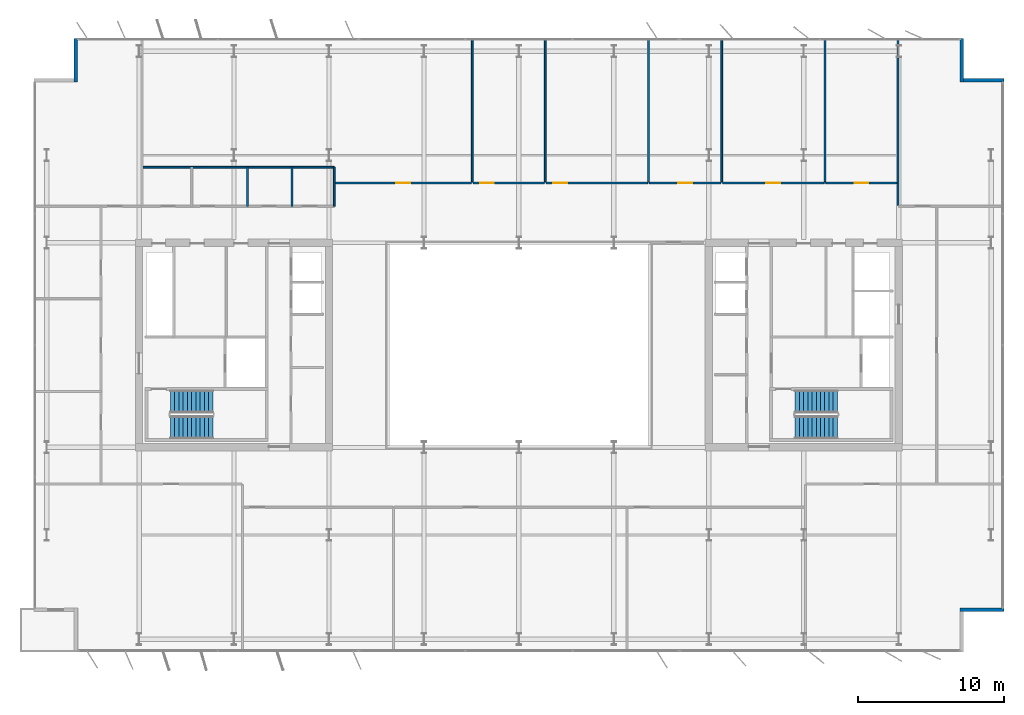
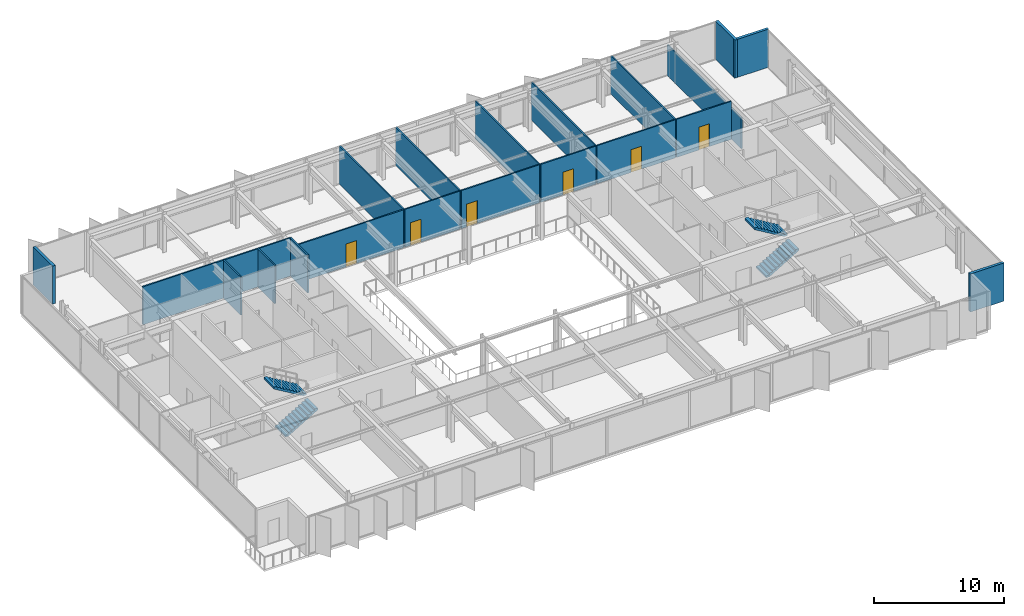
# One storey, part 19 of 23: 20 walls, 6 doors, 4 stair flights, 6 openings, 2 elements without a shape of their own.
"""IFC4 building model written with IfcOpenShell, lengths in metres."""

import ifcopenshell
import ifcopenshell.guid

model = None  # the IFC model being written
_history = None  # IfcOwnerHistory: only IFC2X3 demands one
_inside = {}  # id of a spatial element -> (the spatial element, [elements in it])
_under = {}  # id of a project, library or spatial element -> (it, [spatial elements below it])
_declared = {}  # id of a project -> (the project, [libraries it declares])
_typed = {}  # id of a type object -> (the type object, [elements of that type])
_made_of = {}  # id of a material, layer set ... -> (it, [elements and type objects made of it])


def new_model(schema):
    """Start an empty IFC model of exactly this schema.

    Asked for "IFC4X3", IfcOpenShell would pick the latest addendum, in which some entities
    have other attributes; the version numbers below select the first issue.
    IFC2X3 requires an IfcOwnerHistory on every rooted entity: one is made here for all.
    """
    global model, _history
    if schema == "IFC4X3":
        model = ifcopenshell.file(schema_version=(4, 3, 0, 0))
    else:
        model = ifcopenshell.file(schema=schema)
    _inside.clear()
    _under.clear()
    _declared.clear()
    _typed.clear()
    _made_of.clear()
    _history = None
    if model.schema == "IFC2X3":
        org = make("IfcOrganization", Name="unknown")
        user = make(
            "IfcPersonAndOrganization",
            ThePerson=make("IfcPerson", FamilyName="unknown"),
            TheOrganization=org,
        )
        app = make(
            "IfcApplication",
            ApplicationDeveloper=org,
            Version="unknown",
            ApplicationFullName="unknown",
            ApplicationIdentifier="unknown",
        )
        _history = make(
            "IfcOwnerHistory",
            OwningUser=user,
            OwningApplication=app,
            ChangeAction="ADDED",
            CreationDate=0,
        )
    return model


def make(cls, **values):
    """One entity of the class cls with the attributes given. An attribute that is None is left unset."""
    return model.create_entity(
        cls, **{name: value for name, value in values.items() if value is not None}
    )


def rooted(cls, **values):
    """An entity with a GlobalId (a new one), such as an element, a storey or a relation."""
    return make(cls, GlobalId=ifcopenshell.guid.new(), OwnerHistory=_history, **values)


def si_unit(unit_type, name, prefix=None):
    """IfcSIUnit, for example si_unit("LENGTHUNIT", "METRE", prefix="MILLI")."""
    return make("IfcSIUnit", UnitType=unit_type, Prefix=prefix, Name=name)


def assignment(units):
    """IfcUnitAssignment: the units of a project."""
    return None if units is None else make("IfcUnitAssignment", Units=units)


def point(xyz):
    """IfcCartesianPoint."""
    return None if xyz is None else make("IfcCartesianPoint", Coordinates=xyz)


def direction(xyz):
    """IfcDirection."""
    return None if xyz is None else make("IfcDirection", DirectionRatios=xyz)


def frame(location, z_axis=None, x_axis=None):
    """IfcAxis2Placement3D, a coordinate frame: its origin and axes. An axis left out is left unset."""
    return make(
        "IfcAxis2Placement3D",
        Location=point(location),
        Axis=direction(z_axis),
        RefDirection=direction(x_axis),
    )


def frame_2d(location, x_axis=None):
    """IfcAxis2Placement2D, a coordinate frame in the plane: its origin and x axis."""
    return make(
        "IfcAxis2Placement2D", Location=point(location), RefDirection=direction(x_axis)
    )


def origin():
    """The frame at (0, 0, 0) with its axes left unset."""
    return frame((0.0, 0.0, 0.0))


def place(relative_to, where):
    """IfcLocalPlacement: puts the frame where relative to a parent placement (None: the world)."""
    return make(
        "IfcLocalPlacement", PlacementRelTo=relative_to, RelativePlacement=where
    )


def context(
    kind, dimensions, precision=None, world=None, true_north=None, identifier=None
):
    """IfcGeometricRepresentationContext, for example the 3D "Model" context."""
    return make(
        "IfcGeometricRepresentationContext",
        ContextIdentifier=identifier,
        ContextType=kind,
        CoordinateSpaceDimension=dimensions,
        Precision=precision,
        WorldCoordinateSystem=world,
        TrueNorth=true_north,
    )


def subcontext(parent, identifier, kind, view, scale=None):
    """IfcGeometricRepresentationSubContext, for example "Body" below "Model"."""
    return make(
        "IfcGeometricRepresentationSubContext",
        ContextIdentifier=identifier,
        ContextType=kind,
        ParentContext=parent,
        TargetScale=scale,
        TargetView=view,
    )


def project(units=None, contexts=None):
    """IfcProject with its units and contexts."""
    return rooted(
        "IfcProject",
        Name="project",
        RepresentationContexts=contexts,
        UnitsInContext=assignment(units),
    )


def spatial(cls, under=None, at=None, **own):
    """A site, building, storey or space (cls), placed at a placement, below another one or the project."""
    s = rooted(cls, ObjectPlacement=at, **own)
    if under is not None:
        _under.setdefault(under.id(), (under, []))[1].append(s)
    return s


def polyline(points):
    """IfcPolyline through the points."""
    return make("IfcPolyline", Points=[point(p) for p in points])


def profile(cls, at=None, kind="AREA", **sizes):
    """A parametric profile (cls). Its sizes go by their IFC names, for example OverallWidth=200.0."""
    return make(cls, ProfileType=kind, Position=at, **sizes)


def rectangle(**sizes):
    """IfcRectangleProfileDef."""
    return profile("IfcRectangleProfileDef", **sizes)


def outline(outer, holes=None, kind="AREA"):
    """IfcArbitraryClosedProfileDef: a profile drawn as a closed curve; with holes, ...WithVoids."""
    if holes is None:
        return make("IfcArbitraryClosedProfileDef", ProfileType=kind, OuterCurve=outer)
    return make(
        "IfcArbitraryProfileDefWithVoids",
        ProfileType=kind,
        OuterCurve=outer,
        InnerCurves=holes,
    )


def extrude(swept, where, along, depth):
    """IfcExtrudedAreaSolid: the profile swept, set in the frame where, extruded along a direction by depth."""
    return make(
        "IfcExtrudedAreaSolid",
        SweptArea=swept,
        Position=where,
        ExtrudedDirection=direction(along),
        Depth=depth,
    )


def shape(context_of_items, identifier, shape_type, items):
    """IfcShapeRepresentation: the items that make up one representation, for example the "Body"."""
    return make(
        "IfcShapeRepresentation",
        ContextOfItems=context_of_items,
        RepresentationIdentifier=identifier,
        RepresentationType=shape_type,
        Items=items,
    )


def material(Name=None, Category=None):
    """IfcMaterial."""
    return make("IfcMaterial", Name=Name, Category=Category)


def layer(
    of_material, thickness, ventilated=None, Name=None, Category=None, Priority=None
):
    """IfcMaterialLayer: one layer of a wall or slab, of a material (None: an air gap)."""
    return make(
        "IfcMaterialLayer",
        Material=of_material,
        LayerThickness=thickness,
        IsVentilated=ventilated,
        Name=Name,
        Category=Category,
        Priority=Priority,
    )


def layer_set(layers, Name=None):
    """IfcMaterialLayerSet."""
    return make("IfcMaterialLayerSet", MaterialLayers=layers, LayerSetName=Name)


def made_of(thing, what):
    """Note that an element or type object is made of a material, layer set ...; save() writes the relation."""
    if what is not None:
        _made_of.setdefault(what.id(), (what, []))[1].append(thing)
    return thing


def type_object(cls, material=None, **own):
    """A type object (cls), such as IfcWallType, which elements share."""
    return made_of(rooted(cls, **own), material)


def element(
    cls,
    number,
    at=None,
    inside=None,
    cuts=None,
    type_object=None,
    material=None,
    context=None,
    identifier="Body",
    shape_type=None,
    held_by="IfcProductDefinitionShape",
    body=None,
    shapes=None,
    **own,
):
    """One element of the class cls, such as IfcWall. Its Tag is "e" and its number.

    at: its placement. inside: the storey or other place that contains it. cuts: it is an
    opening in that element (IfcRelVoidsElement). A single representation is given by context,
    identifier, shape_type and body (its items); several are given by shapes. held_by: the class
    of the entity that holds the representations. save() writes the other relations.
    """
    e = rooted(cls, Tag="e%d" % number, ObjectPlacement=at, **own)
    if body is not None:
        shapes = [shape(context, identifier, shape_type, body)]
    if shapes is not None:
        e.Representation = make(held_by, Representations=shapes)
    if inside is not None:
        _inside.setdefault(inside.id(), (inside, []))[1].append(e)
    if cuts is not None:
        rooted(
            "IfcRelVoidsElement", RelatingBuildingElement=cuts, RelatedOpeningElement=e
        )
    if type_object is not None:
        _typed.setdefault(type_object.id(), (type_object, []))[1].append(e)
    return made_of(e, material)


def fill(opening, filler):
    """IfcRelFillsElement: the door or window that sits in an opening."""
    return rooted(
        "IfcRelFillsElement",
        RelatingOpeningElement=opening,
        RelatedBuildingElement=filler,
    )


def aggregate(whole, parts):
    """IfcRelAggregates: a whole, such as a stair, and the parts it consists of."""
    return rooted("IfcRelAggregates", RelatingObject=whole, RelatedObjects=parts)


def save(model, path):
    """Write the relations noted so far, then the file.

    IfcRelAggregates (storeys below a building ...), IfcRelContainedInSpatialStructure (elements
    in a storey), IfcRelDefinesByType, IfcRelAssociatesMaterial and IfcRelDeclares: one each for
    every whole, place, type object, material and project.
    """
    for whole, parts in _under.values():
        aggregate(whole, parts)
    for where, things in _inside.values():
        rooted(
            "IfcRelContainedInSpatialStructure",
            RelatedElements=things,
            RelatingStructure=where,
        )
    for kind, things in _typed.values():
        rooted("IfcRelDefinesByType", RelatedObjects=things, RelatingType=kind)
    for what, things in _made_of.values():
        rooted("IfcRelAssociatesMaterial", RelatedObjects=things, RelatingMaterial=what)
    for by, libraries in _declared.values():
        rooted("IfcRelDeclares", RelatingContext=by, RelatedDefinitions=libraries)
    model.write(path)


model = new_model("IFC4")

# Units and contexts
model_context = context("Model", 3, precision=1e-05, world=origin(), true_north=direction((0.0, 1.0)))
body_context = subcontext(model_context, "Body", "Model", "MODEL_VIEW")
ifc_project = project(units=[si_unit("LENGTHUNIT", "METRE"), si_unit("AREAUNIT", "SQUARE_METRE"), si_unit("VOLUMEUNIT", "CUBIC_METRE"), si_unit("PLANEANGLEUNIT", "RADIAN"), si_unit("MASSUNIT", "GRAM", prefix="KILO")], contexts=[model_context])

# Site, building, storey
site_placement = place(None, origin())
site = spatial("IfcSite", under=ifc_project, at=site_placement, CompositionType="ELEMENT")
building_placement = place(site_placement, origin())
building = spatial("IfcBuilding", under=site, at=building_placement, Name="Putna Gate Headquarters", CompositionType="ELEMENT")
storey_placement = place(building_placement, frame((0.0, 0.0, 225.199951171875)))
storey = spatial("IfcBuildingStorey", under=building, at=storey_placement, Name="L56", CompositionType="ELEMENT", Elevation=225.199951171875)

# Walls
ifc_material_1 = material(Name="Precast concrete C40/50", Category="concrete")
ifc_layer_1 = layer(ifc_material_1, 0.239990234375)
ifc_layer_set_1 = layer_set([ifc_layer_1], Name="Precast concrete C40/50")
wall_type_1 = type_object("IfcWallType", Name="WALL-EXT-TERR-240", PredefinedType="STANDARD", material=ifc_layer_set_1)
for number, where, z_axis, x_axis, name in (
    (1, (8.679931640625, 44.0, 0.0), (0.0, 0.0, 1.0), (0.0, 1.0, 0.0), "L56 Corner Notch Return Wall NW-V"),
    (2, (69.320068359375, 47.0, 0.0), (0.0, 0.0, 1.0), (0.0, -1.0, 0.0), "L56 Corner Notch Return Wall NE-V"),
    (3, (69.199951171875, 44.1201171875, 0.0), (0.0, 0.0, 1.0), (1.0, 0.0, 0.0), "L56 Corner Notch Return Wall NE-H"),
    (4, (72.199951171875, 7.8798828125, 0.0), (0.0, 0.0, 1.0), (-1.0, 0.0, 0.0), "L56 Corner Notch Return Wall SE-H"),
):
    element("IfcWall", number, at=place(storey_placement, frame(where, z_axis=z_axis, x_axis=x_axis)), inside=storey, type_object=wall_type_1, Name=name, PredefinedType="STANDARD", context=body_context, shape_type="SweptSolid", body=[
        extrude(rectangle(XDim=3.0, YDim=0.239990234375, at=frame_2d((1.5, 0.0))), origin(), (0.0, 0.0, 1.0), 3.580078125),
    ])
ifc_material_2 = material(Name="Acoustic gypsum board on metal stud")
ifc_layer_2 = layer(ifc_material_2, 0.1201171875)
ifc_layer_set_2 = layer_set([ifc_layer_2], Name="Acoustic gypsum board on metal stud")
wall_type_2 = type_object("IfcWallType", Name="WALL-PART-120", PredefinedType="PARTITIONING", material=ifc_layer_set_2)
for number, where, z_axis, x_axis, name in (
    (5, (35.800048828125, 37.159912109375, 0.0), (0.0, 0.0, 1.0), (0.0, 1.0, 0.0), "L56 Interior Wall PART-L56-NB-DIV-02"),
    (6, (40.805908203125, 37.159912109375, 0.0), (0.0, 0.0, 1.0), (0.0, 1.0, 0.0), "L56 Interior Wall PART-L56-NB-DIV-03"),
    (7, (47.873291015625, 37.159912109375, 0.0), (0.0, 0.0, 1.0), (0.0, 1.0, 0.0), "L56 Interior Wall PART-L56-NB-DIV-04"),
    (8, (52.87939453125, 37.159912109375, 0.0), (0.0, 0.0, 1.0), (0.0, 1.0, 0.0), "L56 Interior Wall PART-L56-NB-DIV-05"),
    (9, (59.94677734375, 37.159912109375, 0.0), (0.0, 0.0, 1.0), (0.0, 1.0, 0.0), "L56 Interior Wall PART-L56-NB-DIV-06"),
):
    element("IfcWall", number, at=place(storey_placement, frame(where, z_axis=z_axis, x_axis=x_axis)), inside=storey, type_object=wall_type_2, Name=name, PredefinedType="PARTITIONING", context=body_context, shape_type="SweptSolid", body=[
        extrude(rectangle(XDim=9.820068359375, YDim=0.1201171875, at=frame_2d((4.91015625, 0.0))), origin(), (0.0, 0.0, 1.0), 3.580078125),
    ])
wall_1_placement = place(storey_placement, frame((64.95263671875, 35.56005859375, 0.0), z_axis=(0.0, 0.0, 1.0), x_axis=(0.0, 1.0, 0.0)))
element("IfcWall", 10, at=wall_1_placement, inside=storey, type_object=wall_type_2, Name="L56 Interior Wall PART-L56-NB-DIV-07", PredefinedType="PARTITIONING", context=body_context, shape_type="SweptSolid", body=[
    extrude(rectangle(XDim=11.419921875, YDim=0.1201171875, at=frame_2d((5.7099609375, 0.0))), origin(), (0.0, 0.0, 1.0), 2.880126953125),
])
ifc_material_3 = material(Name="Fire-rated gypsum board on metal stud")
ifc_layer_3 = layer(ifc_material_3, 0.1201171875)
ifc_layer_set_3 = layer_set([ifc_layer_3], Name="Fire-rated gypsum board on metal stud")
wall_type_3 = type_object("IfcWallType", Name="WALL-PART-120-RATED", PredefinedType="PARTITIONING", material=ifc_layer_set_3)
wall_2_placement = place(storey_placement, frame((13.199951171875, 38.179931640625, 0.0), z_axis=(0.0, 0.0, 1.0), x_axis=(1.0, 0.0, 0.0)))
element("IfcWall", 11, at=wall_2_placement, inside=storey, type_object=wall_type_3, Name="L56 Interior Wall PART-L56-SAN-BACK", PredefinedType="PARTITIONING", context=body_context, shape_type="SweptSolid", body=[
    extrude(rectangle(XDim=13.16015625, YDim=0.1201171875, at=frame_2d((6.580078125, 0.0))), origin(), (0.0, 0.0, 1.0), 3.580078125),
])
for number, where, z_axis, x_axis, name in (
    (12, (20.419921875, 35.5, 0.0), (0.0, 0.0, 1.0), (0.0, 1.0, 0.0), "L56 Interior Wall PART-L56-SAN-DIV-2"),
    (13, (23.4599609375, 35.5, 0.0), (0.0, 0.0, 1.0), (0.0, 1.0, 0.0), "L56 Interior Wall PART-L56-SAN-DIV-3"),
    (14, (26.360107421875, 35.5, 0.0), (0.0, 0.0, 1.0), (0.0, 1.0, 0.0), "L56 Interior Wall PART-L56-SAN-DIV-4"),
):
    element("IfcWall", number, at=place(storey_placement, frame(where, z_axis=z_axis, x_axis=x_axis)), inside=storey, type_object=wall_type_3, Name=name, PredefinedType="PARTITIONING", context=body_context, shape_type="SweptSolid", body=[
        extrude(rectangle(XDim=2.679931640625, YDim=0.1201171875, at=frame_2d((1.33984375, 0.0))), origin(), (0.0, 0.0, 1.0), 3.580078125),
    ])

# Wall, opening, door
wall_3_placement = place(storey_placement, frame((26.419921875, 37.10009765625, 0.0), z_axis=(0.0, 0.0, 1.0), x_axis=(1.0, 0.0, 0.0)))
wall_3 = element("IfcWall", 15, at=wall_3_placement, inside=storey, type_object=wall_type_3, Name="L56 Interior Wall PART-L56-NB-CW-02", PredefinedType="PARTITIONING", context=body_context, shape_type="SweptSolid", body=[
    extrude(rectangle(XDim=9.320068359375, YDim=0.1201171875, at=frame_2d((4.66015625, 0.0))), origin(), (0.0, 0.0, 1.0), 3.580078125),
])
opening_1_placement = place(wall_3_placement, frame((4.18505859375, 0.0, 0.0)))
opening_1 = element("IfcOpeningElement", 16, at=opening_1_placement, cuts=wall_3, Name="Opening FD-95", PredefinedType="OPENING", context=body_context, shape_type="SweptSolid", body=[
    extrude(rectangle(XDim=0.949951171875, YDim=2.14990234375, at=frame_2d((0.47509765625, 1.074951171875))), frame((0.0, 0.070068359375, 0.0), z_axis=(0.0, -1.0, 0.0), x_axis=(1.0, 0.0, 0.0)), (0.0, 0.0, 1.0), 0.14013671875),
])
ifc_material_4 = material(Name="Acoustic timber fire door", Category="wood")
door_type = type_object("IfcDoorType", Name="DOOR-FIRE-950", OperationType="NOTDEFINED", PredefinedType="DOOR", material=ifc_material_4)
door_1_placement = place(opening_1_placement, origin())
door_1 = element("IfcDoor", 17, at=door_1_placement, inside=storey, type_object=door_type, Name="L56 Primary Open Office Workplace Door", OperationType="SINGLE_SWING_LEFT", OverallHeight=2.14990234375, OverallWidth=0.949951171875, PredefinedType="DOOR", context=body_context, shape_type="SweptSolid", body=[
    extrude(rectangle(XDim=0.949951171875, YDim=2.14990234375, at=frame_2d((0.47509765625, 1.074951171875))), frame((0.0, 0.02490234375, 0.0), z_axis=(0.0, -1.0, 0.0), x_axis=(1.0, 0.0, 0.0)), (0.0, 0.0, 1.0), 0.050048828125),
])
fill(opening_1, door_1)

wall_4_placement = place(storey_placement, frame((35.860107421875, 37.10009765625, 0.0), z_axis=(0.0, 0.0, 1.0), x_axis=(1.0, 0.0, 0.0)))
wall_4 = element("IfcWall", 18, at=wall_4_placement, inside=storey, type_object=wall_type_3, Name="L56 Interior Wall PART-L56-NB-CW-03", PredefinedType="PARTITIONING", context=body_context, shape_type="SweptSolid", body=[
    extrude(rectangle(XDim=4.885986328125, YDim=0.1201171875, at=frame_2d((2.44287109375, 0.0))), origin(), (0.0, 0.0, 1.0), 3.580078125),
])
opening_2_placement = place(wall_4_placement, frame((0.47998046875, 0.0, 0.0)))
opening_2 = element("IfcOpeningElement", 19, at=opening_2_placement, cuts=wall_4, Name="Opening FD-95", PredefinedType="OPENING", context=body_context, shape_type="SweptSolid", body=[
    extrude(rectangle(XDim=0.949951171875, YDim=2.14990234375, at=frame_2d((0.47509765625, 1.074951171875))), frame((0.0, 0.070068359375, 0.0), z_axis=(0.0, -1.0, 0.0), x_axis=(1.0, 0.0, 0.0)), (0.0, 0.0, 1.0), 0.14013671875),
])
door_2_placement = place(opening_2_placement, origin())
door_2 = element("IfcDoor", 20, at=door_2_placement, inside=storey, type_object=door_type, Name="L56 Conference Meeting Room 3 Door", OperationType="SINGLE_SWING_RIGHT", OverallHeight=2.14990234375, OverallWidth=0.949951171875, PredefinedType="DOOR", context=body_context, shape_type="SweptSolid", body=[
    extrude(rectangle(XDim=0.949951171875, YDim=2.14990234375, at=frame_2d((0.47509765625, 1.074951171875))), frame((0.0, 0.02490234375, 0.0), z_axis=(0.0, -1.0, 0.0), x_axis=(1.0, 0.0, 0.0)), (0.0, 0.0, 1.0), 0.050048828125),
])
fill(opening_2, door_2)

wall_5_placement = place(storey_placement, frame((40.865966796875, 37.10009765625, 0.0), z_axis=(0.0, 0.0, 1.0), x_axis=(1.0, 0.0, 0.0)))
wall_5 = element("IfcWall", 21, at=wall_5_placement, inside=storey, type_object=wall_type_3, Name="L56 Interior Wall PART-L56-NB-CW-04", PredefinedType="PARTITIONING", context=body_context, shape_type="SweptSolid", body=[
    extrude(rectangle(XDim=6.947265625, YDim=0.1201171875, at=frame_2d((3.4736328125, 0.0))), origin(), (0.0, 0.0, 1.0), 3.580078125),
])
opening_3_placement = place(wall_5_placement, frame((0.47998046875, 0.0, 0.0)))
opening_3 = element("IfcOpeningElement", 22, at=opening_3_placement, cuts=wall_5, Name="Opening FD-95", PredefinedType="OPENING", context=body_context, shape_type="SweptSolid", body=[
    extrude(rectangle(XDim=0.949951171875, YDim=2.14990234375, at=frame_2d((0.47509765625, 1.074951171875))), frame((0.0, 0.070068359375, 0.0), z_axis=(0.0, -1.0, 0.0), x_axis=(1.0, 0.0, 0.0)), (0.0, 0.0, 1.0), 0.14013671875),
])
door_3_placement = place(opening_3_placement, origin())
door_3 = element("IfcDoor", 23, at=door_3_placement, inside=storey, type_object=door_type, Name="L56 Conference Meeting Room 4 Door", OperationType="SINGLE_SWING_LEFT", OverallHeight=2.14990234375, OverallWidth=0.949951171875, PredefinedType="DOOR", context=body_context, shape_type="SweptSolid", body=[
    extrude(rectangle(XDim=0.949951171875, YDim=2.14990234375, at=frame_2d((0.47509765625, 1.074951171875))), frame((0.0, 0.02490234375, 0.0), z_axis=(0.0, -1.0, 0.0), x_axis=(1.0, 0.0, 0.0)), (0.0, 0.0, 1.0), 0.050048828125),
])
fill(opening_3, door_3)

wall_6_placement = place(storey_placement, frame((47.933349609375, 37.10009765625, 0.0), z_axis=(0.0, 0.0, 1.0), x_axis=(1.0, 0.0, 0.0)))
wall_6 = element("IfcWall", 24, at=wall_6_placement, inside=storey, type_object=wall_type_3, Name="L56 Interior Wall PART-L56-NB-CW-05", PredefinedType="PARTITIONING", context=body_context, shape_type="SweptSolid", body=[
    extrude(rectangle(XDim=4.885986328125, YDim=0.1201171875, at=frame_2d((2.44287109375, 0.0))), origin(), (0.0, 0.0, 1.0), 3.580078125),
])
opening_4_placement = place(wall_6_placement, frame((1.968017578125, 0.0, 0.0)))
opening_4 = element("IfcOpeningElement", 25, at=opening_4_placement, cuts=wall_6, Name="Opening FD-95", PredefinedType="OPENING", context=body_context, shape_type="SweptSolid", body=[
    extrude(rectangle(XDim=0.949951171875, YDim=2.14990234375, at=frame_2d((0.47509765625, 1.074951171875))), frame((0.0, 0.070068359375, 0.0), z_axis=(0.0, -1.0, 0.0), x_axis=(1.0, 0.0, 0.0)), (0.0, 0.0, 1.0), 0.14013671875),
])
door_4_placement = place(opening_4_placement, origin())
door_4 = element("IfcDoor", 26, at=door_4_placement, inside=storey, type_object=door_type, Name="L56 Conference Meeting Room 5 Door", OperationType="SINGLE_SWING_RIGHT", OverallHeight=2.14990234375, OverallWidth=0.949951171875, PredefinedType="DOOR", context=body_context, shape_type="SweptSolid", body=[
    extrude(rectangle(XDim=0.949951171875, YDim=2.14990234375, at=frame_2d((0.47509765625, 1.074951171875))), frame((0.0, 0.02490234375, 0.0), z_axis=(0.0, -1.0, 0.0), x_axis=(1.0, 0.0, 0.0)), (0.0, 0.0, 1.0), 0.050048828125),
])
fill(opening_4, door_4)

wall_7_placement = place(storey_placement, frame((52.939208984375, 37.10009765625, 0.0), z_axis=(0.0, 0.0, 1.0), x_axis=(1.0, 0.0, 0.0)))
wall_7 = element("IfcWall", 27, at=wall_7_placement, inside=storey, type_object=wall_type_3, Name="L56 Interior Wall PART-L56-NB-CW-06", PredefinedType="PARTITIONING", context=body_context, shape_type="SweptSolid", body=[
    extrude(rectangle(XDim=6.947509765625, YDim=0.1201171875, at=frame_2d((3.4736328125, 0.0))), origin(), (0.0, 0.0, 1.0), 3.580078125),
])
opening_5_placement = place(wall_7_placement, frame((2.998779296875, 0.0, 0.0)))
opening_5 = element("IfcOpeningElement", 28, at=opening_5_placement, cuts=wall_7, Name="Opening FD-95", PredefinedType="OPENING", context=body_context, shape_type="SweptSolid", body=[
    extrude(rectangle(XDim=0.949951171875, YDim=2.14990234375, at=frame_2d((0.47509765625, 1.074951171875))), frame((0.0, 0.070068359375, 0.0), z_axis=(0.0, -1.0, 0.0), x_axis=(1.0, 0.0, 0.0)), (0.0, 0.0, 1.0), 0.14013671875),
])
door_5_placement = place(opening_5_placement, origin())
door_5 = element("IfcDoor", 29, at=door_5_placement, inside=storey, type_object=door_type, Name="L56 Collaborative Breakout Lounge 1 Door", OperationType="SINGLE_SWING_LEFT", OverallHeight=2.14990234375, OverallWidth=0.949951171875, PredefinedType="DOOR", context=body_context, shape_type="SweptSolid", body=[
    extrude(rectangle(XDim=0.949951171875, YDim=2.14990234375, at=frame_2d((0.47509765625, 1.074951171875))), frame((0.0, 0.02490234375, 0.0), z_axis=(0.0, -1.0, 0.0), x_axis=(1.0, 0.0, 0.0)), (0.0, 0.0, 1.0), 0.050048828125),
])
fill(opening_5, door_5)

wall_8_placement = place(storey_placement, frame((60.006591796875, 37.10009765625, 0.0), z_axis=(0.0, 0.0, 1.0), x_axis=(1.0, 0.0, 0.0)))
wall_8 = element("IfcWall", 30, at=wall_8_placement, inside=storey, type_object=wall_type_3, Name="L56 Interior Wall PART-L56-NB-CW-07", PredefinedType="PARTITIONING", context=body_context, shape_type="SweptSolid", body=[
    extrude(rectangle(XDim=4.885986328125, YDim=0.1201171875, at=frame_2d((2.44287109375, 0.0))), origin(), (0.0, 0.0, 1.0), 3.580078125),
])
opening_6_placement = place(wall_8_placement, frame((1.968017578125, 0.0, 0.0)))
opening_6 = element("IfcOpeningElement", 31, at=opening_6_placement, cuts=wall_8, Name="Opening FD-95", PredefinedType="OPENING", context=body_context, shape_type="SweptSolid", body=[
    extrude(rectangle(XDim=0.949951171875, YDim=2.14990234375, at=frame_2d((0.47509765625, 1.074951171875))), frame((0.0, 0.070068359375, 0.0), z_axis=(0.0, -1.0, 0.0), x_axis=(1.0, 0.0, 0.0)), (0.0, 0.0, 1.0), 0.14013671875),
])
door_6_placement = place(opening_6_placement, origin())
door_6 = element("IfcDoor", 32, at=door_6_placement, inside=storey, type_object=door_type, Name="L56 Quiet Wellness Focus Studio 1 Door", OperationType="SINGLE_SWING_RIGHT", OverallHeight=2.14990234375, OverallWidth=0.949951171875, PredefinedType="DOOR", context=body_context, shape_type="SweptSolid", body=[
    extrude(rectangle(XDim=0.949951171875, YDim=2.14990234375, at=frame_2d((0.47509765625, 1.074951171875))), frame((0.0, 0.02490234375, 0.0), z_axis=(0.0, -1.0, 0.0), x_axis=(1.0, 0.0, 0.0)), (0.0, 0.0, 1.0), 0.050048828125),
])
fill(opening_6, door_6)

# Stair, stair flights
ifc_material_5 = material(Name="Concrete C40/50", Category="concrete")
stair_type_1 = type_object("IfcStairType", Name="STAIR-ST1", PredefinedType="HALF_TURN_STAIR", material=ifc_material_5)
stair_1_placement = place(storey_placement, origin())
stair_1 = element("IfcStair", 33, at=stair_1_placement, inside=storey, type_object=stair_type_1, Name="L56 West Core Exit Stair ST1", PredefinedType="HALF_TURN_STAIR")
stair_flight_type_1 = type_object("IfcStairFlightType", Name="FLIGHT-ST1", PredefinedType="STRAIGHT", material=ifc_material_5)
stair_flight_1_placement = place(storey_placement, frame((15.14990234375, 20.375, 0.0), z_axis=(0.0, 0.0, 1.0), x_axis=(1.0, 0.0, 0.0)))
stair_flight_1 = element("IfcStairFlight", 34, at=stair_flight_1_placement, type_object=stair_flight_type_1, Name="ST1 flight 1", NumberOfRisers=11, NumberOfTreads=10, PredefinedType="STRAIGHT", RiserHeight=0.172727273, TreadLength=0.29, context=body_context, shape_type="SweptSolid", body=[
    extrude(outline(polyline([(0.0, 0.0), (0.0, 0.172607421875), (0.2900390625, 0.172607421875), (0.2900390625, 0.345458984375), (0.580078125, 0.345458984375), (0.580078125, 0.51806640625), (0.8701171875, 0.51806640625), (0.8701171875, 0.69091796875), (1.159912109375, 0.69091796875), (1.159912109375, 0.863525390625), (1.449951171875, 0.863525390625), (1.449951171875, 1.036376953125), (1.739990234375, 1.036376953125), (1.739990234375, 1.208984375), (2.030029296875, 1.208984375), (2.030029296875, 1.3818359375), (2.320068359375, 1.3818359375), (2.320068359375, 1.554443359375), (2.610107421875, 1.554443359375), (2.610107421875, 1.727294921875), (2.89990234375, 1.727294921875), (2.89990234375, 1.89990234375), (2.89990234375, 1.552734375), (0.29296875, 0.0), (0.0, 0.0)])), frame((0.0, 0.77490234375, 0.0), z_axis=(0.0, -1.0, 0.0), x_axis=(1.0, 0.0, 0.0)), (0.0, 0.0, 1.0), 1.550048828125),
])
stair_flight_2_placement = place(storey_placement, frame((18.050048828125, 22.125, 1.900146484375), z_axis=(0.0, 0.0, 1.0), x_axis=(-1.0, 0.0, 0.0)))
stair_flight_2 = element("IfcStairFlight", 35, at=stair_flight_2_placement, type_object=stair_flight_type_1, Name="ST1 flight 2", NumberOfRisers=11, NumberOfTreads=10, PredefinedType="STRAIGHT", RiserHeight=0.172727273, TreadLength=0.29, context=body_context, shape_type="SweptSolid", body=[
    extrude(outline(polyline([(0.0, 0.0), (0.0, 0.172607421875), (0.2900390625, 0.172607421875), (0.2900390625, 0.345458984375), (0.580078125, 0.345458984375), (0.580078125, 0.51806640625), (0.8701171875, 0.51806640625), (0.8701171875, 0.69091796875), (1.159912109375, 0.69091796875), (1.159912109375, 0.863525390625), (1.449951171875, 0.863525390625), (1.449951171875, 1.036376953125), (1.739990234375, 1.036376953125), (1.739990234375, 1.208984375), (2.030029296875, 1.208984375), (2.030029296875, 1.3818359375), (2.320068359375, 1.3818359375), (2.320068359375, 1.554443359375), (2.610107421875, 1.554443359375), (2.610107421875, 1.727294921875), (2.89990234375, 1.727294921875), (2.89990234375, 1.89990234375), (2.89990234375, 1.552734375), (0.29296875, 0.0), (0.0, 0.0)])), frame((0.0, 0.77490234375, 0.0), z_axis=(0.0, -1.0, 0.0), x_axis=(1.0, 0.0, 0.0)), (0.0, 0.0, 1.0), 1.550048828125),
])
aggregate(stair_1, [stair_flight_1, stair_flight_2])

stair_type_2 = type_object("IfcStairType", Name="STAIR-ST2", PredefinedType="HALF_TURN_STAIR", material=ifc_material_5)
stair_2_placement = place(storey_placement, origin())
stair_2 = element("IfcStair", 36, at=stair_2_placement, inside=storey, type_object=stair_type_2, Name="L56 East Core Exit Stair ST2", PredefinedType="HALF_TURN_STAIR")
stair_flight_type_2 = type_object("IfcStairFlightType", Name="FLIGHT-ST2", PredefinedType="STRAIGHT", material=ifc_material_5)
stair_flight_3_placement = place(storey_placement, frame((57.89990234375, 20.375, 0.0), z_axis=(0.0, 0.0, 1.0), x_axis=(1.0, 0.0, 0.0)))
stair_flight_3 = element("IfcStairFlight", 37, at=stair_flight_3_placement, type_object=stair_flight_type_2, Name="ST2 flight 1", NumberOfRisers=11, NumberOfTreads=10, PredefinedType="STRAIGHT", RiserHeight=0.172727273, TreadLength=0.29, context=body_context, shape_type="SweptSolid", body=[
    extrude(outline(polyline([(0.0, 0.0), (0.0, 0.172607421875), (0.2900390625, 0.172607421875), (0.2900390625, 0.345458984375), (0.580078125, 0.345458984375), (0.580078125, 0.51806640625), (0.8701171875, 0.51806640625), (0.8701171875, 0.69091796875), (1.159912109375, 0.69091796875), (1.159912109375, 0.863525390625), (1.449951171875, 0.863525390625), (1.449951171875, 1.036376953125), (1.739990234375, 1.036376953125), (1.739990234375, 1.208984375), (2.030029296875, 1.208984375), (2.030029296875, 1.3818359375), (2.320068359375, 1.3818359375), (2.320068359375, 1.554443359375), (2.610107421875, 1.554443359375), (2.610107421875, 1.727294921875), (2.89990234375, 1.727294921875), (2.89990234375, 1.89990234375), (2.89990234375, 1.552734375), (0.29296875, 0.0), (0.0, 0.0)])), frame((0.0, 0.77490234375, 0.0), z_axis=(0.0, -1.0, 0.0), x_axis=(1.0, 0.0, 0.0)), (0.0, 0.0, 1.0), 1.550048828125),
])
stair_flight_4_placement = place(storey_placement, frame((60.800048828125, 22.125, 1.900146484375), z_axis=(0.0, 0.0, 1.0), x_axis=(-1.0, 0.0, 0.0)))
stair_flight_4 = element("IfcStairFlight", 38, at=stair_flight_4_placement, type_object=stair_flight_type_2, Name="ST2 flight 2", NumberOfRisers=11, NumberOfTreads=10, PredefinedType="STRAIGHT", RiserHeight=0.172727273, TreadLength=0.29, context=body_context, shape_type="SweptSolid", body=[
    extrude(outline(polyline([(0.0, 0.0), (0.0, 0.172607421875), (0.2900390625, 0.172607421875), (0.2900390625, 0.345458984375), (0.580078125, 0.345458984375), (0.580078125, 0.51806640625), (0.8701171875, 0.51806640625), (0.8701171875, 0.69091796875), (1.159912109375, 0.69091796875), (1.159912109375, 0.863525390625), (1.449951171875, 0.863525390625), (1.449951171875, 1.036376953125), (1.739990234375, 1.036376953125), (1.739990234375, 1.208984375), (2.030029296875, 1.208984375), (2.030029296875, 1.3818359375), (2.320068359375, 1.3818359375), (2.320068359375, 1.554443359375), (2.610107421875, 1.554443359375), (2.610107421875, 1.727294921875), (2.89990234375, 1.727294921875), (2.89990234375, 1.89990234375), (2.89990234375, 1.552734375), (0.29296875, 0.0), (0.0, 0.0)])), frame((0.0, 0.77490234375, 0.0), z_axis=(0.0, -1.0, 0.0), x_axis=(1.0, 0.0, 0.0)), (0.0, 0.0, 1.0), 1.550048828125),
])
aggregate(stair_2, [stair_flight_3, stair_flight_4])

save(model, "model.ifc")
